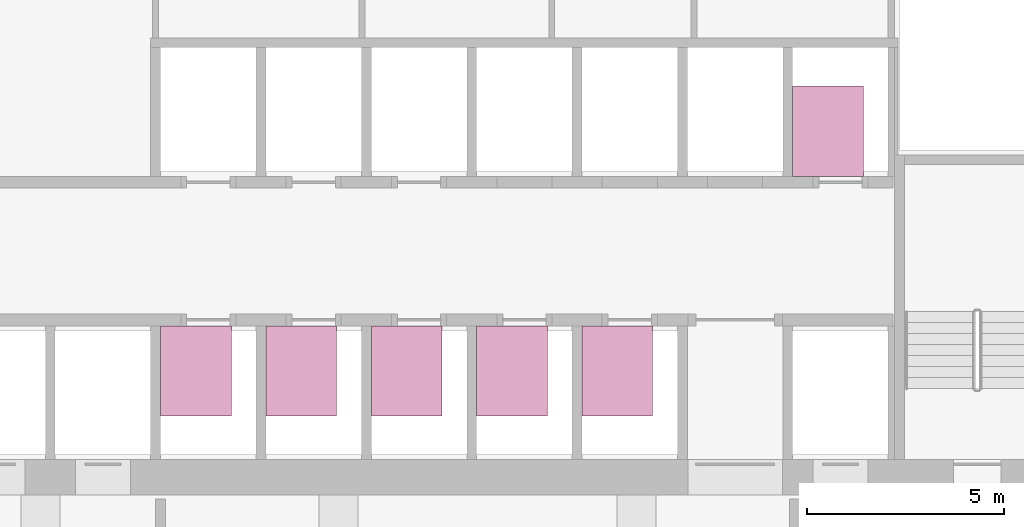
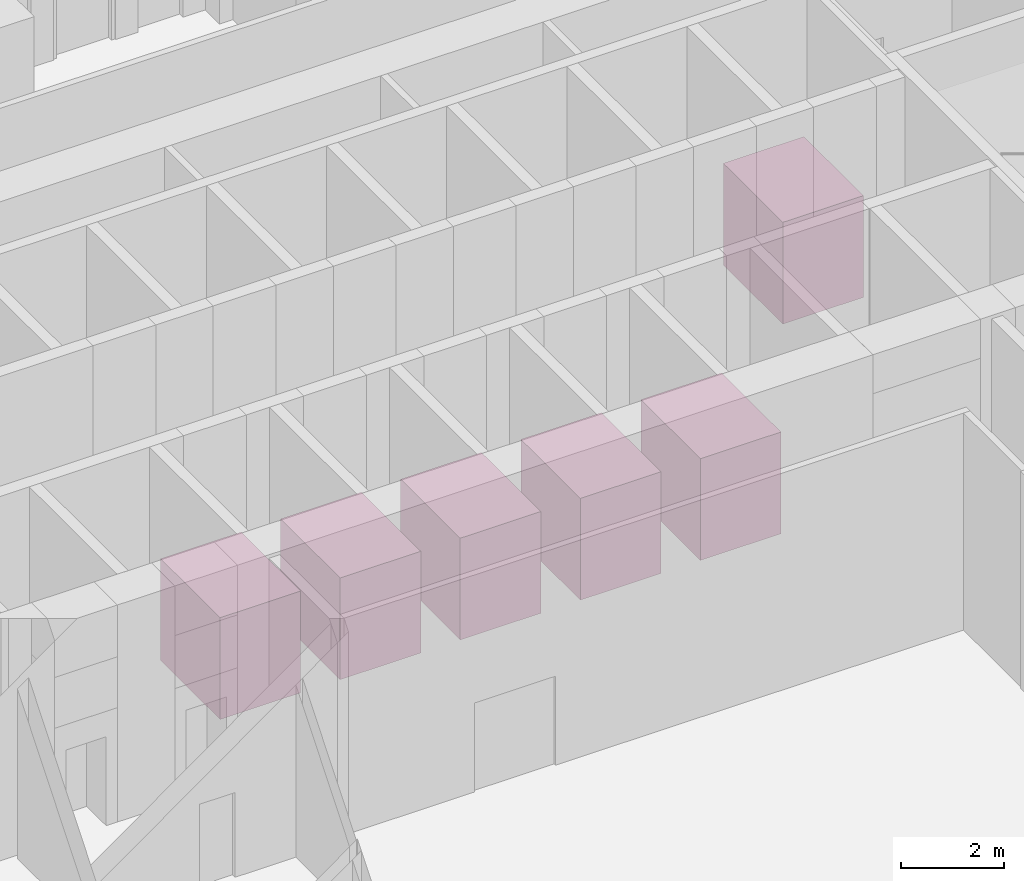
# One storey, part 19 of 19: 6 transport elements.
"""IFC4 building model written with IfcOpenShell, lengths in metres."""

from ifc_helpers import new_model, si_unit, direction, frame, origin, origin_2d, place, context, subcontext, project, spatial, rectangle, extrude, source, transform, mapped, material, type_object, element, save


model = new_model("IFC4")

# Units and contexts
model_context = context("Model", 3, precision=1e-05, world=origin(), true_north=direction((0.0, 1.0)))
body_context = subcontext(model_context, "Body", "Model", "MODEL_VIEW")
ifc_project = project(units=[si_unit("LENGTHUNIT", "METRE"), si_unit("AREAUNIT", "SQUARE_METRE"), si_unit("VOLUMEUNIT", "CUBIC_METRE"), si_unit("PLANEANGLEUNIT", "RADIAN"), si_unit("MASSUNIT", "GRAM", prefix="KILO")], contexts=[model_context])

# Site, building, storey
site_placement = place(None, origin())
site = spatial("IfcSite", under=ifc_project, at=site_placement, CompositionType="ELEMENT")
building_placement = place(site_placement, origin())
building = spatial("IfcBuilding", under=site, at=building_placement, Name="Kilnfold Tower and Market Hall", CompositionType="ELEMENT")
storey_placement = place(building_placement, frame((0.0, 0.0, 138.5)))
storey = spatial("IfcBuildingStorey", under=building, at=storey_placement, Name="L31", CompositionType="ELEMENT", Elevation=138.5)

# Transport elements
ifc_material = material(Name="Stainless steel 304 cab", Category="steel")
transport_element_type = type_object("IfcTransportElementType", Name="LIFT MR 1600 KG", PredefinedType="ELEVATOR", material=ifc_material)
shared_shape = source(origin(), body_context, "Body", "SweptSolid", [
    extrude(rectangle(XDim=1.800048828125, YDim=2.300048828125, at=origin_2d()), origin(), (0.0, 0.0, 1.0), 2.39990234375),
])
for number, where, z_axis, x_axis, name in (
    (1, (-4.625, 11.25, 0.0), (0.0, 0.0, 1.0), (1.0, 0.0, 0.0), "Lift MR1"),
    (2, (-1.945068359375, 11.25, 0.0), (0.0, 0.0, 1.0), (1.0, 0.0, 0.0), "Lift MR2"),
    (3, (0.735107421875, 11.25, 0.0), (0.0, 0.0, 1.0), (1.0, 0.0, 0.0), "Lift MR3"),
    (4, (3.4150390625, 11.25, 0.0), (0.0, 0.0, 1.0), (1.0, 0.0, 0.0), "Lift MR4"),
    (5, (6.094970703125, 11.25, 0.0), (0.0, 0.0, 1.0), (1.0, 0.0, 0.0), "Lift MR5"),
    (6, (11.455078125, 17.35009765625, 0.0), (0.0, 0.0, 1.0), (1.0, 0.0, 0.0), "Lift MR6"),
):
    element("IfcTransportElement", number, at=place(storey_placement, frame(where, z_axis=z_axis, x_axis=x_axis)), inside=storey, type_object=transport_element_type, Name=name, PredefinedType="ELEVATOR", context=body_context, shape_type="MappedRepresentation", body=[
        mapped(shared_shape, transform((0.0, 0.0, 0.0))),
    ])

save(model, "model.ifc")
